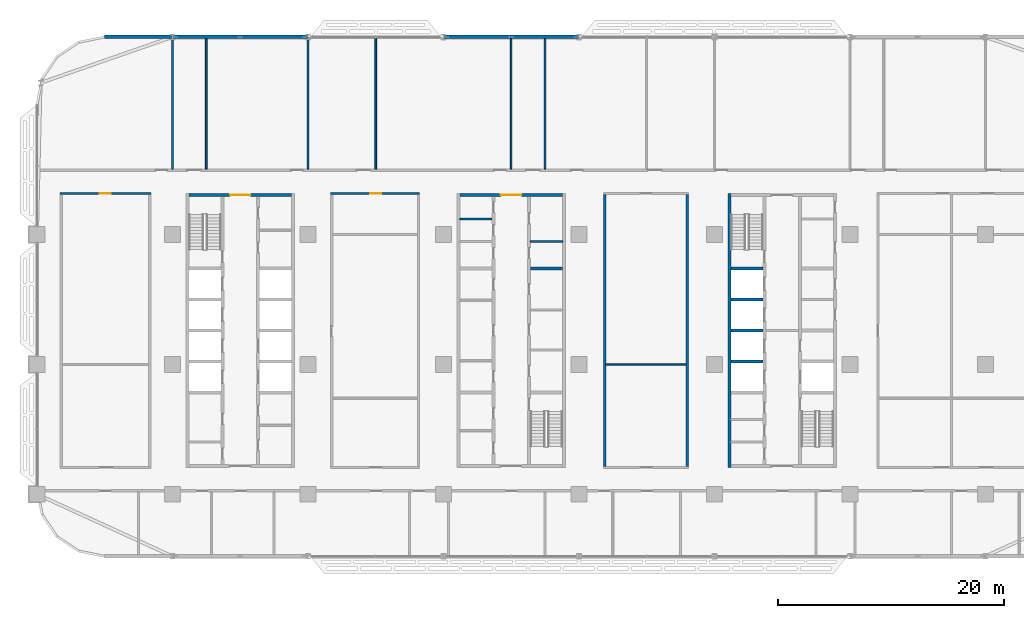
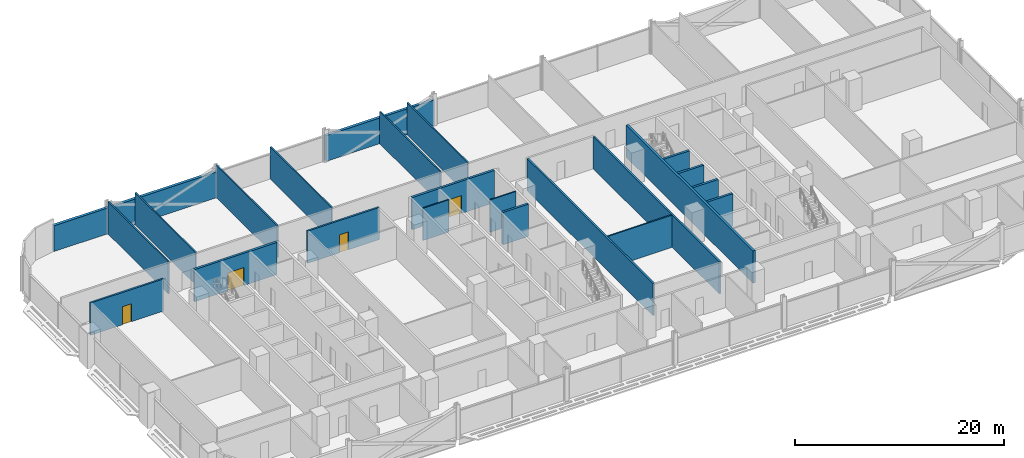
# One storey, part 14 of 29: 24 walls, 4 doors, 4 openings.
"""IFC4 building model written with IfcOpenShell, lengths in metres."""

from ifc_helpers import new_model, si_unit, direction, frame, frame_2d, origin, place, context, subcontext, project, spatial, rectangle, extrude, material, layer, layer_set, type_object, element, fill, save


model = new_model("IFC4")

# Units and contexts
model_context = context("Model", 3, precision=1e-05, world=origin(), true_north=direction((0.0, 1.0)))
body_context = subcontext(model_context, "Body", "Model", "MODEL_VIEW")
ifc_project = project(units=[si_unit("LENGTHUNIT", "METRE"), si_unit("AREAUNIT", "SQUARE_METRE"), si_unit("VOLUMEUNIT", "CUBIC_METRE"), si_unit("PLANEANGLEUNIT", "RADIAN"), si_unit("MASSUNIT", "GRAM", prefix="KILO")], contexts=[model_context])

# Site, building, storey
site_placement = place(None, origin())
site = spatial("IfcSite", under=ifc_project, at=site_placement, CompositionType="ELEMENT")
building_placement = place(site_placement, origin())
building = spatial("IfcBuilding", under=site, at=building_placement, Name="Mahtab Terrace Research Tower", CompositionType="ELEMENT")
storey_placement = place(building_placement, frame((0.0, 0.0, 93.0)))
storey = spatial("IfcBuildingStorey", under=building, at=storey_placement, Name="L21", CompositionType="ELEMENT", Elevation=93.0)

# Walls
ifc_material_1 = material(Name="Gypsum board partition")
ifc_layer_1 = layer(ifc_material_1, 0.14990234375)
ifc_layer_set_1 = layer_set([ifc_layer_1], Name="Core partition 150")
wall_type_1 = type_object("IfcWallType", Name="Core partition 150", PredefinedType="PARTITIONING", material=ifc_layer_set_1)
for number, where, z_axis, x_axis, name in (
    (1, (-4.550048828125, 12.875, 0.0), (0.0, 0.0, 1.0), (1.0, 0.0, 0.0), "Core wall B pWN988"),
    (2, (1.699951171875, 10.875, 0.0), (0.0, 0.0, 1.0), (1.0, 0.0, 0.0), "Core wall B pEN788"),
):
    element("IfcWall", number, at=place(storey_placement, frame(where, z_axis=z_axis, x_axis=x_axis)), inside=storey, type_object=wall_type_1, Name=name, PredefinedType="PARTITIONING", context=body_context, shape_type="SweptSolid", body=[
        extrude(rectangle(XDim=2.85009765625, YDim=0.14990234375, at=frame_2d((1.425048828125, 0.0))), origin(), (0.0, 0.0, 1.0), 3.760009765625),
    ])

# Wall, opening, door
ifc_material_2 = material(Name="Concrete C70/85", Category="concrete")
ifc_layer_2 = layer(ifc_material_2, 0.25)
ifc_layer_set_2 = layer_set([ifc_layer_2], Name="Core wall 250")
wall_type_2 = type_object("IfcWallType", Name="Core wall 250", PredefinedType="SOLIDWALL", material=ifc_layer_set_2)
wall_1_placement = place(storey_placement, frame((-28.550048828125, 15.0, 0.0), z_axis=(0.0, 0.0, 1.0), x_axis=(1.0, 0.0, 0.0)))
wall_1 = element("IfcWall", 3, at=wall_1_placement, inside=storey, type_object=wall_type_2, Name="Core wall A endN", PredefinedType="SOLIDWALL", context=body_context, shape_type="SweptSolid", body=[
    extrude(rectangle(XDim=9.10009765625, YDim=0.25, at=frame_2d((4.550048828125, 0.0))), origin(), (0.0, 0.0, 1.0), 3.760009765625),
])
opening_1_placement = place(wall_1_placement, frame((3.64990234375, 0.0, 0.0)))
opening_1 = element("IfcOpeningElement", 4, at=opening_1_placement, cuts=wall_1, Name="Opening A-N1", PredefinedType="OPENING", context=body_context, shape_type="SweptSolid", body=[
    extrude(rectangle(XDim=1.800048828125, YDim=2.10009765625, at=frame_2d((0.89990234375, 1.050048828125))), frame((0.0, 0.135009765625, 0.0), z_axis=(0.0, -1.0, 0.0), x_axis=(1.0, 0.0, 0.0)), (0.0, 0.0, 1.0), 0.27001953125),
])
ifc_material_3 = material(Name="Steel fire door", Category="steel")
door_type_1 = type_object("IfcDoorType", Name="Lobby double door 1800x2100 1 HR", OperationType="DOUBLE_DOOR_SINGLE_SWING", PredefinedType="DOOR", material=ifc_material_3)
door_1_placement = place(opening_1_placement, origin())
door_1 = element("IfcDoor", 5, at=door_1_placement, inside=storey, type_object=door_type_1, Name="Core entrance door A N", OperationType="DOUBLE_DOOR_SINGLE_SWING", OverallHeight=2.10009765625, OverallWidth=1.800048828125, PredefinedType="DOOR", context=body_context, shape_type="SweptSolid", body=[
    extrude(rectangle(XDim=1.800048828125, YDim=2.10009765625, at=frame_2d((0.89990234375, 1.050048828125))), frame((0.0, 0.02490234375, 0.0), z_axis=(0.0, -1.0, 0.0), x_axis=(1.0, 0.0, 0.0)), (0.0, 0.0, 1.0), 0.050048828125),
])
fill(opening_1, door_1)

wall_2_placement = place(storey_placement, frame((-4.550048828125, 15.0, 0.0), z_axis=(0.0, 0.0, 1.0), x_axis=(1.0, 0.0, 0.0)))
wall_2 = element("IfcWall", 6, at=wall_2_placement, inside=storey, type_object=wall_type_2, Name="Core wall B endN", PredefinedType="SOLIDWALL", context=body_context, shape_type="SweptSolid", body=[
    extrude(rectangle(XDim=9.10009765625, YDim=0.25, at=frame_2d((4.550048828125, 0.0))), origin(), (0.0, 0.0, 1.0), 3.760009765625),
])
opening_2_placement = place(wall_2_placement, frame((3.64990234375, 0.0, 0.0)))
opening_2 = element("IfcOpeningElement", 7, at=opening_2_placement, cuts=wall_2, Name="Opening B-N1", PredefinedType="OPENING", context=body_context, shape_type="SweptSolid", body=[
    extrude(rectangle(XDim=1.800048828125, YDim=2.10009765625, at=frame_2d((0.89990234375, 1.050048828125))), frame((0.0, 0.135009765625, 0.0), z_axis=(0.0, -1.0, 0.0), x_axis=(1.0, 0.0, 0.0)), (0.0, 0.0, 1.0), 0.27001953125),
])
door_2_placement = place(opening_2_placement, origin())
door_2 = element("IfcDoor", 8, at=door_2_placement, inside=storey, type_object=door_type_1, Name="Core entrance door B N", OperationType="DOUBLE_DOOR_SINGLE_SWING", OverallHeight=2.10009765625, OverallWidth=1.800048828125, PredefinedType="DOOR", context=body_context, shape_type="SweptSolid", body=[
    extrude(rectangle(XDim=1.800048828125, YDim=2.10009765625, at=frame_2d((0.89990234375, 1.050048828125))), frame((0.0, 0.02490234375, 0.0), z_axis=(0.0, -1.0, 0.0), x_axis=(1.0, 0.0, 0.0)), (0.0, 0.0, 1.0), 0.050048828125),
])
fill(opening_2, door_2)

# Walls
wall_3_placement = place(storey_placement, frame((1.699951171875, 8.5, 0.0), z_axis=(0.0, 0.0, 1.0), x_axis=(1.0, 0.0, 0.0)))
element("IfcWall", 9, at=wall_3_placement, inside=storey, type_object=wall_type_2, Name="Core wall B divE4", PredefinedType="SOLIDWALL", context=body_context, shape_type="SweptSolid", body=[
    extrude(rectangle(XDim=2.85009765625, YDim=0.25, at=frame_2d((1.425048828125, 0.0))), origin(), (0.0, 0.0, 1.0), 3.760009765625),
])
wall_4_placement = place(storey_placement, frame((19.324951171875, 15.125, 0.0), z_axis=(0.0, 0.0, 1.0), x_axis=(0.0, -1.0, 0.0)))
element("IfcWall", 10, at=wall_4_placement, inside=storey, type_object=wall_type_2, Name="Core wall C outerW", PredefinedType="SOLIDWALL", context=body_context, shape_type="SweptSolid", body=[
    extrude(rectangle(XDim=24.25, YDim=0.25, at=frame_2d((12.125, 0.0))), origin(), (0.0, 0.0, 1.0), 3.760009765625),
])
for number, where, z_axis, x_axis, name in (
    (11, (19.449951171875, 0.25, 0.0), (0.0, 0.0, 1.0), (1.0, 0.0, 0.0), "Core wall C divW1"),
    (12, (19.449951171875, 3.0, 0.0), (0.0, 0.0, 1.0), (1.0, 0.0, 0.0), "Core wall C divW2"),
    (13, (19.449951171875, 5.75, 0.0), (0.0, 0.0, 1.0), (1.0, 0.0, 0.0), "Core wall C divW3"),
    (14, (19.449951171875, 8.5, 0.0), (0.0, 0.0, 1.0), (1.0, 0.0, 0.0), "Core wall C divW4"),
):
    element("IfcWall", number, at=place(storey_placement, frame(where, z_axis=z_axis, x_axis=x_axis)), inside=storey, type_object=wall_type_2, Name=name, PredefinedType="SOLIDWALL", context=body_context, shape_type="SweptSolid", body=[
        extrude(rectangle(XDim=2.85009765625, YDim=0.25, at=frame_2d((1.425048828125, 0.0))), origin(), (0.0, 0.0, 1.0), 3.760009765625),
    ])
ifc_material_4 = material(Name="Black aluminium cladding panel", Category="aluminium")
ifc_layer_3 = layer(ifc_material_4, 0.300048828125)
ifc_layer_set_3 = layer_set([ifc_layer_3], Name="Opaque facade wall 300")
wall_type_3 = type_object("IfcWallType", Name="Opaque facade wall 300", PredefinedType="NOTDEFINED", material=ifc_layer_set_3)
for number, where, z_axis, x_axis, name in (
    (15, (5.97900390625, 29.0, 0.0), (0.0, 0.0, 1.0), (-1.0, 0.0, 0.0), "Opaque facade wall L21 N7"),
    (16, (-18.02099609375, 29.0, 0.0), (0.0, 0.0, 1.0), (-1.0, 0.0, 0.0), "Opaque facade wall L21 N9"),
):
    element("IfcWall", number, at=place(storey_placement, frame(where, z_axis=z_axis, x_axis=x_axis)), inside=storey, type_object=wall_type_3, Name=name, PredefinedType="NOTDEFINED", context=body_context, shape_type="SweptSolid", body=[
        extrude(rectangle(XDim=11.9580078125, YDim=0.300048828125, at=frame_2d((5.97900390625, 0.0))), origin(), (0.0, 0.0, 1.0), 3.003173828125),
    ])
wall_5_placement = place(storey_placement, frame((-30.02099609375, 29.0, 0.0), z_axis=(0.0, 0.0, 1.0), x_axis=(-1.0, 0.0, 0.0)))
element("IfcWall", 17, at=wall_5_placement, inside=storey, type_object=wall_type_3, Name="Opaque facade wall L21 N10", PredefinedType="NOTDEFINED", context=body_context, shape_type="SweptSolid", body=[
    extrude(rectangle(XDim=5.97900390625, YDim=0.300048828125, at=frame_2d((2.989501953125, 0.0))), origin(), (0.0, 0.0, 1.0), 3.003173828125),
])

# Wall, opening, door
ifc_material_5 = material(Name="Gypsum board corridor wall on steel studs", Category="steel")
ifc_layer_4 = layer(ifc_material_5, 0.199951171875)
ifc_layer_set_4 = layer_set([ifc_layer_4], Name="WALL CORRIDOR 200")
wall_type_4 = type_object("IfcWallType", Name="WALL CORRIDOR 200", PredefinedType="PARTITIONING", material=ifc_layer_set_4)
wall_6_placement = place(storey_placement, frame((-39.949951171875, 15.125, 0.0), z_axis=(0.0, 0.0, 1.0), x_axis=(1.0, 0.0, 0.0)))
wall_6 = element("IfcWall", 18, at=wall_6_placement, inside=storey, type_object=wall_type_4, Name="L21-W020", PredefinedType="PARTITIONING", context=body_context, shape_type="SweptSolid", body=[
    extrude(rectangle(XDim=8.050048828125, YDim=0.199951171875, at=frame_2d((4.02490234375, 0.0))), origin(), (0.0, 0.0, 1.0), 3.760009765625),
])
opening_3_placement = place(wall_6_placement, frame((3.5, 0.0, 0.0)))
opening_3 = element("IfcOpeningElement", 19, at=opening_3_placement, cuts=wall_6, Name="Opening L21-122", PredefinedType="OPENING", context=body_context, shape_type="SweptSolid", body=[
    extrude(rectangle(XDim=1.0, YDim=2.10009765625, at=frame_2d((0.5, 1.050048828125))), frame((0.0, 0.10986328125, 0.0), z_axis=(0.0, -1.0, 0.0), x_axis=(1.0, 0.0, 0.0)), (0.0, 0.0, 1.0), 0.219970703125),
])
ifc_material_6 = material(Name="Timber door leaf in steel frame", Category="steel")
door_type_2 = type_object("IfcDoorType", Name="DOOR 1000X2100 FD30S", OperationType="SINGLE_SWING_LEFT", PredefinedType="DOOR", material=ifc_material_6)
door_3_placement = place(opening_3_placement, origin())
door_3 = element("IfcDoor", 20, at=door_3_placement, inside=storey, type_object=door_type_2, Name="Door L21-122", OperationType="SINGLE_SWING_RIGHT", OverallHeight=2.10009765625, OverallWidth=1.0, PredefinedType="DOOR", context=body_context, shape_type="SweptSolid", body=[
    extrude(rectangle(XDim=1.0, YDim=2.10009765625, at=frame_2d((0.5, 1.050048828125))), frame((0.0, 0.02490234375, 0.0), z_axis=(0.0, -1.0, 0.0), x_axis=(1.0, 0.0, 0.0)), (0.0, 0.0, 1.0), 0.050048828125),
])
fill(opening_3, door_3)

wall_7_placement = place(storey_placement, frame((-16.0, 15.125, 0.0), z_axis=(0.0, 0.0, 1.0), x_axis=(1.0, 0.0, 0.0)))
wall_7 = element("IfcWall", 21, at=wall_7_placement, inside=storey, type_object=wall_type_4, Name="L21-W021", PredefinedType="PARTITIONING", context=body_context, shape_type="SweptSolid", body=[
    extrude(rectangle(XDim=7.89990234375, YDim=0.199951171875, at=frame_2d((3.949951171875, 0.0))), origin(), (0.0, 0.0, 1.0), 3.760009765625),
])
opening_4_placement = place(wall_7_placement, frame((3.5, 0.0, 0.0)))
opening_4 = element("IfcOpeningElement", 22, at=opening_4_placement, cuts=wall_7, Name="Opening L21-124", PredefinedType="OPENING", context=body_context, shape_type="SweptSolid", body=[
    extrude(rectangle(XDim=1.0, YDim=2.10009765625, at=frame_2d((0.5, 1.050048828125))), frame((0.0, 0.10986328125, 0.0), z_axis=(0.0, -1.0, 0.0), x_axis=(1.0, 0.0, 0.0)), (0.0, 0.0, 1.0), 0.219970703125),
])
door_4_placement = place(opening_4_placement, origin())
door_4 = element("IfcDoor", 23, at=door_4_placement, inside=storey, type_object=door_type_2, Name="Door L21-124", OperationType="SINGLE_SWING_LEFT", OverallHeight=2.10009765625, OverallWidth=1.0, PredefinedType="DOOR", context=body_context, shape_type="SweptSolid", body=[
    extrude(rectangle(XDim=1.0, YDim=2.10009765625, at=frame_2d((0.5, 1.050048828125))), frame((0.0, 0.02490234375, 0.0), z_axis=(0.0, -1.0, 0.0), x_axis=(1.0, 0.0, 0.0)), (0.0, 0.0, 1.0), 0.050048828125),
])
fill(opening_4, door_4)

# Walls
for number, where, z_axis, x_axis, name in (
    (24, (8.300048828125, -9.02490234375, 0.0), (0.0, 0.0, 1.0), (0.0, 1.0, 0.0), "L21-W041"),
    (25, (15.60009765625, -9.02490234375, 0.0), (0.0, 0.0, 1.0), (0.0, 1.0, 0.0), "L21-W045"),
):
    element("IfcWall", number, at=place(storey_placement, frame(where, z_axis=z_axis, x_axis=x_axis)), inside=storey, type_object=wall_type_4, Name=name, PredefinedType="PARTITIONING", context=body_context, shape_type="SweptSolid", body=[
        extrude(rectangle(XDim=24.0498046875, YDim=0.199951171875, at=frame_2d((12.02490234375, 0.0))), origin(), (0.0, 0.0, 1.0), 3.760009765625),
    ])
ifc_material_7 = material(Name="Gypsum board partition on steel studs", Category="steel")
ifc_layer_5 = layer(ifc_material_7, 0.14990234375)
ifc_layer_set_5 = layer_set([ifc_layer_5], Name="WALL PARTITION 150")
wall_type_5 = type_object("IfcWallType", Name="WALL PARTITION 150", PredefinedType="PARTITIONING", material=ifc_layer_set_5)
wall_8_placement = place(storey_placement, frame((8.39990234375, 0.0, 0.0), z_axis=(0.0, 0.0, 1.0), x_axis=(1.0, 0.0, 0.0)))
element("IfcWall", 26, at=wall_8_placement, inside=storey, type_object=wall_type_5, Name="L21-W016", PredefinedType="PARTITIONING", context=body_context, shape_type="SweptSolid", body=[
    extrude(rectangle(XDim=7.10009765625, YDim=0.14990234375, at=frame_2d((3.550048828125, 0.0))), origin(), (0.0, 0.0, 1.0), 3.760009765625),
])
for number, where, z_axis, x_axis, name in (
    (27, (-30.0, 17.300048828125, 0.0), (0.0, 0.0, 1.0), (0.0, 1.0, 0.0), "L21-W028"),
    (28, (-27.0, 17.300048828125, 0.0), (0.0, 0.0, 1.0), (0.0, 1.0, 0.0), "L21-W029"),
):
    element("IfcWall", number, at=place(storey_placement, frame(where, z_axis=z_axis, x_axis=x_axis)), inside=storey, type_object=wall_type_5, Name=name, PredefinedType="PARTITIONING", context=body_context, shape_type="SweptSolid", body=[
        extrude(rectangle(XDim=11.550048828125, YDim=0.14990234375, at=frame_2d((5.77490234375, 0.0))), origin(), (0.0, 0.0, 1.0), 3.760009765625),
    ])
for number, where, z_axis, x_axis, name in (
    (29, (-18.0, 17.300048828125, 0.0), (0.0, 0.0, 1.0), (0.0, 1.0, 0.0), "L21-W032"),
    (30, (-12.0, 17.300048828125, 0.0), (0.0, 0.0, 1.0), (0.0, 1.0, 0.0), "L21-W034"),
):
    element("IfcWall", number, at=place(storey_placement, frame(where, z_axis=z_axis, x_axis=x_axis)), inside=storey, type_object=wall_type_5, Name=name, PredefinedType="PARTITIONING", context=body_context, shape_type="SweptSolid", body=[
        extrude(rectangle(XDim=11.675048828125, YDim=0.14990234375, at=frame_2d((5.83740234375, 0.0))), origin(), (0.0, 0.0, 1.0), 3.760009765625),
    ])
for number, where, z_axis, x_axis, name in (
    (31, (0.0, 17.300048828125, 0.0), (0.0, 0.0, 1.0), (0.0, 1.0, 0.0), "L21-W038"),
    (32, (3.0, 17.300048828125, 0.0), (0.0, 0.0, 1.0), (0.0, 1.0, 0.0), "L21-W040"),
):
    element("IfcWall", number, at=place(storey_placement, frame(where, z_axis=z_axis, x_axis=x_axis)), inside=storey, type_object=wall_type_5, Name=name, PredefinedType="PARTITIONING", context=body_context, shape_type="SweptSolid", body=[
        extrude(rectangle(XDim=11.550048828125, YDim=0.14990234375, at=frame_2d((5.77490234375, 0.0))), origin(), (0.0, 0.0, 1.0), 3.760009765625),
    ])

save(model, "model.ifc")
